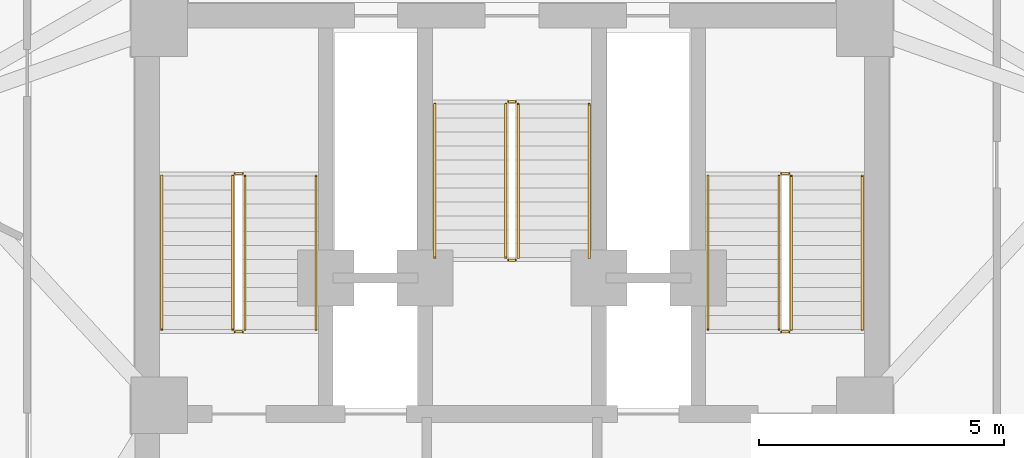
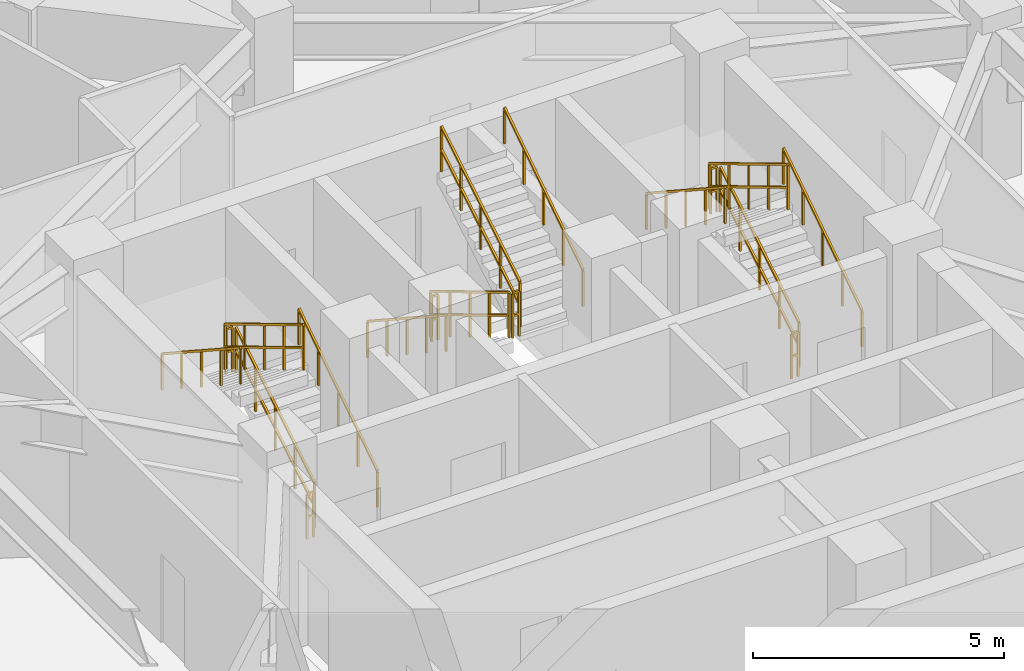
# One storey, part 11 of 12: 18 railings.
"""IFC4 building model written with IfcOpenShell, lengths in metres."""

from ifc_helpers import new_model, si_unit, direction, frame, origin, origin_2d, place, context, subcontext, project, spatial, rectangle, extrude, material, type_object, element, save


model = new_model("IFC4")

# Units and contexts
model_context = context("Model", 3, precision=1e-05, world=origin(), true_north=direction((0.0, 1.0)))
body_context = subcontext(model_context, "Body", "Model", "MODEL_VIEW")
ifc_project = project(units=[si_unit("LENGTHUNIT", "METRE"), si_unit("AREAUNIT", "SQUARE_METRE"), si_unit("VOLUMEUNIT", "CUBIC_METRE"), si_unit("PLANEANGLEUNIT", "RADIAN"), si_unit("MASSUNIT", "GRAM", prefix="KILO")], contexts=[model_context])

# Site, building, storey
site_placement = place(None, origin())
site = spatial("IfcSite", under=ifc_project, at=site_placement, CompositionType="ELEMENT")
building_placement = place(site_placement, origin())
building = spatial("IfcBuilding", under=site, at=building_placement, Name="Apsidion Concourse Tower", CompositionType="ELEMENT")
storey_placement = place(building_placement, frame((0.0, 0.0, 256.800048828125)))
storey = spatial("IfcBuildingStorey", under=building, at=storey_placement, Name="L60", CompositionType="ELEMENT", Elevation=256.800048828125)

# Railings
ifc_material = material(Name="Brushed stainless steel 316", Category="steel")
railing_type_1 = type_object("IfcRailingType", Name="RL-GUARD-1100", PredefinedType="GUARDRAIL", material=ifc_material)
railing_1_placement = place(storey_placement, frame((-5.449951171875, 3.0, 0.1708984375)))
element("IfcRailing", 1, at=railing_1_placement, inside=storey, type_object=railing_type_1, Name="L60 ST1 stair guard 1", PredefinedType="GUARDRAIL", context=body_context, shape_type="SweptSolid", body=[
    extrude(rectangle(XDim=0.048095703125, YDim=0.048095703125, at=origin_2d()), frame((0.0, 0.0, 1.09619140625), z_axis=(0.0, 0.857716804754, 0.514122439544), x_axis=(-1.0, 0.0, 0.0)), (0.0, 0.0, 1.0), 3.655029296875),
    extrude(rectangle(XDim=0.048095703125, YDim=0.048095703125, at=origin_2d()), frame((0.0, 0.0, 0.5361328125), z_axis=(0.0, 0.857716804754, 0.514122439544), x_axis=(-1.0, 0.0, 0.0)), (0.0, 0.0, 1.0), 3.655029296875),
    extrude(rectangle(XDim=0.0419921875, YDim=0.0419921875, at=origin_2d()), origin(), (0.0, 0.0, 1.0), 1.072021484375),
    extrude(rectangle(XDim=0.0419921875, YDim=0.0419921875, at=origin_2d()), frame((0.0, 0.78369140625, 0.4697265625)), (0.0, 0.0, 1.0), 1.072021484375),
    extrude(rectangle(XDim=0.0419921875, YDim=0.0419921875, at=origin_2d()), frame((0.0, 1.5673828125, 0.939453125)), (0.0, 0.0, 1.0), 1.072021484375),
    extrude(rectangle(XDim=0.0419921875, YDim=0.0419921875, at=origin_2d()), frame((0.0, 2.351318359375, 1.409423828125)), (0.0, 0.0, 1.0), 1.072021484375),
    extrude(rectangle(XDim=0.0419921875, YDim=0.0419921875, at=origin_2d()), frame((0.0, 3.135009765625, 1.879150390625)), (0.0, 0.0, 1.0), 1.072021484375),
])
railing_2_placement = place(storey_placement, frame((-5.5, 6.18505859375, 2.050048828125)))
element("IfcRailing", 2, at=railing_2_placement, inside=storey, type_object=railing_type_1, Name="L60 ST1 stair guard 2", PredefinedType="GUARDRAIL", context=body_context, shape_type="SweptSolid", body=[
    extrude(rectangle(XDim=0.048095703125, YDim=0.048095703125, at=origin_2d()), frame((0.0, 0.0, 1.09619140625), z_axis=(-1.0, 0.0, 0.0), x_axis=(0.0, -1.0, 0.0)), (0.0, 0.0, 1.0), 0.14990234375),
    extrude(rectangle(XDim=0.048095703125, YDim=0.048095703125, at=origin_2d()), frame((0.0, 0.0, 0.5361328125), z_axis=(-1.0, 0.0, 0.0), x_axis=(0.0, -1.0, 0.0)), (0.0, 0.0, 1.0), 0.14990234375),
    extrude(rectangle(XDim=0.0419921875, YDim=0.0419921875, at=origin_2d()), origin(), (0.0, 0.0, 1.0), 1.072021484375),
    extrude(rectangle(XDim=0.0419921875, YDim=0.0419921875, at=origin_2d()), frame((-0.14990234375, 0.0, 0.0)), (0.0, 0.0, 1.0), 1.072021484375),
])
railing_3_placement = place(storey_placement, frame((-5.699951171875, 6.135009765625, 2.220703125)))
element("IfcRailing", 3, at=railing_3_placement, inside=storey, type_object=railing_type_1, Name="L60 ST1 stair guard 3", PredefinedType="GUARDRAIL", context=body_context, shape_type="SweptSolid", body=[
    extrude(rectangle(XDim=0.048095703125, YDim=0.048095703125, at=origin_2d()), frame((0.0, 0.0, 1.09619140625), z_axis=(0.0, -0.857716804754, 0.514122439544), x_axis=(1.0, 0.0, 0.0)), (0.0, 0.0, 1.0), 3.655029296875),
    extrude(rectangle(XDim=0.048095703125, YDim=0.048095703125, at=origin_2d()), frame((0.0, 0.0, 0.5361328125), z_axis=(0.0, -0.857716804754, 0.514122439544), x_axis=(1.0, 0.0, 0.0)), (0.0, 0.0, 1.0), 3.655029296875),
    extrude(rectangle(XDim=0.0419921875, YDim=0.0419921875, at=origin_2d()), origin(), (0.0, 0.0, 1.0), 1.072021484375),
    extrude(rectangle(XDim=0.0419921875, YDim=0.0419921875, at=origin_2d()), frame((0.0, -0.78369140625, 0.4697265625)), (0.0, 0.0, 1.0), 1.072021484375),
    extrude(rectangle(XDim=0.0419921875, YDim=0.0419921875, at=origin_2d()), frame((0.0, -1.5673828125, 0.939453125)), (0.0, 0.0, 1.0), 1.072021484375),
    extrude(rectangle(XDim=0.0419921875, YDim=0.0419921875, at=origin_2d()), frame((0.0, -2.351318359375, 1.409423828125)), (0.0, 0.0, 1.0), 1.072021484375),
    extrude(rectangle(XDim=0.0419921875, YDim=0.0419921875, at=origin_2d()), frame((0.0, -3.135009765625, 1.879150390625)), (0.0, 0.0, 1.0), 1.072021484375),
])
railing_4_placement = place(storey_placement, frame((-5.5, 2.949951171875, 0.0)))
element("IfcRailing", 4, at=railing_4_placement, inside=storey, type_object=railing_type_1, Name="L60 ST1 stair guard 4", PredefinedType="GUARDRAIL", context=body_context, shape_type="SweptSolid", body=[
    extrude(rectangle(XDim=0.048095703125, YDim=0.048095703125, at=origin_2d()), frame((0.0, 0.0, 1.09619140625), z_axis=(-1.0, 0.0, 0.0), x_axis=(0.0, -1.0, 0.0)), (0.0, 0.0, 1.0), 0.14990234375),
    extrude(rectangle(XDim=0.048095703125, YDim=0.048095703125, at=origin_2d()), frame((0.0, 0.0, 0.5361328125), z_axis=(-1.0, 0.0, 0.0), x_axis=(0.0, -1.0, 0.0)), (0.0, 0.0, 1.0), 0.14990234375),
    extrude(rectangle(XDim=0.0419921875, YDim=0.0419921875, at=origin_2d()), origin(), (0.0, 0.0, 1.0), 1.072021484375),
    extrude(rectangle(XDim=0.0419921875, YDim=0.0419921875, at=origin_2d()), frame((-0.14990234375, 0.0, 0.0)), (0.0, 0.0, 1.0), 1.072021484375),
])
railing_5_placement = place(storey_placement, frame((5.699951171875, 3.0, 0.1708984375)))
element("IfcRailing", 5, at=railing_5_placement, inside=storey, type_object=railing_type_1, Name="L60 ST2 stair guard 1", PredefinedType="GUARDRAIL", context=body_context, shape_type="SweptSolid", body=[
    extrude(rectangle(XDim=0.048095703125, YDim=0.048095703125, at=origin_2d()), frame((0.0, 0.0, 1.09619140625), z_axis=(0.0, 0.857716804754, 0.514122439544), x_axis=(-1.0, 0.0, 0.0)), (0.0, 0.0, 1.0), 3.655029296875),
    extrude(rectangle(XDim=0.048095703125, YDim=0.048095703125, at=origin_2d()), frame((0.0, 0.0, 0.5361328125), z_axis=(0.0, 0.857716804754, 0.514122439544), x_axis=(-1.0, 0.0, 0.0)), (0.0, 0.0, 1.0), 3.655029296875),
    extrude(rectangle(XDim=0.0419921875, YDim=0.0419921875, at=origin_2d()), origin(), (0.0, 0.0, 1.0), 1.072021484375),
    extrude(rectangle(XDim=0.0419921875, YDim=0.0419921875, at=origin_2d()), frame((0.0, 0.78369140625, 0.4697265625)), (0.0, 0.0, 1.0), 1.072021484375),
    extrude(rectangle(XDim=0.0419921875, YDim=0.0419921875, at=origin_2d()), frame((0.0, 1.5673828125, 0.939453125)), (0.0, 0.0, 1.0), 1.072021484375),
    extrude(rectangle(XDim=0.0419921875, YDim=0.0419921875, at=origin_2d()), frame((0.0, 2.351318359375, 1.409423828125)), (0.0, 0.0, 1.0), 1.072021484375),
    extrude(rectangle(XDim=0.0419921875, YDim=0.0419921875, at=origin_2d()), frame((0.0, 3.135009765625, 1.879150390625)), (0.0, 0.0, 1.0), 1.072021484375),
])
railing_6_placement = place(storey_placement, frame((5.64990234375, 6.18505859375, 2.050048828125)))
element("IfcRailing", 6, at=railing_6_placement, inside=storey, type_object=railing_type_1, Name="L60 ST2 stair guard 2", PredefinedType="GUARDRAIL", context=body_context, shape_type="SweptSolid", body=[
    extrude(rectangle(XDim=0.048095703125, YDim=0.048095703125, at=origin_2d()), frame((0.0, 0.0, 1.09619140625), z_axis=(-1.0, 0.0, 0.0), x_axis=(0.0, -1.0, 0.0)), (0.0, 0.0, 1.0), 0.14990234375),
    extrude(rectangle(XDim=0.048095703125, YDim=0.048095703125, at=origin_2d()), frame((0.0, 0.0, 0.5361328125), z_axis=(-1.0, 0.0, 0.0), x_axis=(0.0, -1.0, 0.0)), (0.0, 0.0, 1.0), 0.14990234375),
    extrude(rectangle(XDim=0.0419921875, YDim=0.0419921875, at=origin_2d()), origin(), (0.0, 0.0, 1.0), 1.072021484375),
    extrude(rectangle(XDim=0.0419921875, YDim=0.0419921875, at=origin_2d()), frame((-0.14990234375, 0.0, 0.0)), (0.0, 0.0, 1.0), 1.072021484375),
])
railing_7_placement = place(storey_placement, frame((5.449951171875, 6.135009765625, 2.220703125)))
element("IfcRailing", 7, at=railing_7_placement, inside=storey, type_object=railing_type_1, Name="L60 ST2 stair guard 3", PredefinedType="GUARDRAIL", context=body_context, shape_type="SweptSolid", body=[
    extrude(rectangle(XDim=0.048095703125, YDim=0.048095703125, at=origin_2d()), frame((0.0, 0.0, 1.09619140625), z_axis=(0.0, -0.857716804754, 0.514122439544), x_axis=(1.0, 0.0, 0.0)), (0.0, 0.0, 1.0), 3.655029296875),
    extrude(rectangle(XDim=0.048095703125, YDim=0.048095703125, at=origin_2d()), frame((0.0, 0.0, 0.5361328125), z_axis=(0.0, -0.857716804754, 0.514122439544), x_axis=(1.0, 0.0, 0.0)), (0.0, 0.0, 1.0), 3.655029296875),
    extrude(rectangle(XDim=0.0419921875, YDim=0.0419921875, at=origin_2d()), origin(), (0.0, 0.0, 1.0), 1.072021484375),
    extrude(rectangle(XDim=0.0419921875, YDim=0.0419921875, at=origin_2d()), frame((0.0, -0.78369140625, 0.4697265625)), (0.0, 0.0, 1.0), 1.072021484375),
    extrude(rectangle(XDim=0.0419921875, YDim=0.0419921875, at=origin_2d()), frame((0.0, -1.5673828125, 0.939453125)), (0.0, 0.0, 1.0), 1.072021484375),
    extrude(rectangle(XDim=0.0419921875, YDim=0.0419921875, at=origin_2d()), frame((0.0, -2.351318359375, 1.409423828125)), (0.0, 0.0, 1.0), 1.072021484375),
    extrude(rectangle(XDim=0.0419921875, YDim=0.0419921875, at=origin_2d()), frame((0.0, -3.135009765625, 1.879150390625)), (0.0, 0.0, 1.0), 1.072021484375),
])
railing_8_placement = place(storey_placement, frame((5.64990234375, 2.949951171875, 0.0)))
element("IfcRailing", 8, at=railing_8_placement, inside=storey, type_object=railing_type_1, Name="L60 ST2 stair guard 4", PredefinedType="GUARDRAIL", context=body_context, shape_type="SweptSolid", body=[
    extrude(rectangle(XDim=0.048095703125, YDim=0.048095703125, at=origin_2d()), frame((0.0, 0.0, 1.09619140625), z_axis=(-1.0, 0.0, 0.0), x_axis=(0.0, -1.0, 0.0)), (0.0, 0.0, 1.0), 0.14990234375),
    extrude(rectangle(XDim=0.048095703125, YDim=0.048095703125, at=origin_2d()), frame((0.0, 0.0, 0.5361328125), z_axis=(-1.0, 0.0, 0.0), x_axis=(0.0, -1.0, 0.0)), (0.0, 0.0, 1.0), 0.14990234375),
    extrude(rectangle(XDim=0.0419921875, YDim=0.0419921875, at=origin_2d()), origin(), (0.0, 0.0, 1.0), 1.072021484375),
    extrude(rectangle(XDim=0.0419921875, YDim=0.0419921875, at=origin_2d()), frame((-0.14990234375, 0.0, 0.0)), (0.0, 0.0, 1.0), 1.072021484375),
])
railing_9_placement = place(storey_placement, frame((-0.125, 7.60009765625, 0.1708984375)))
element("IfcRailing", 9, at=railing_9_placement, inside=storey, type_object=railing_type_1, Name="L60 ST3 stair guard 1", PredefinedType="GUARDRAIL", context=body_context, shape_type="SweptSolid", body=[
    extrude(rectangle(XDim=0.048095703125, YDim=0.048095703125, at=origin_2d()), frame((0.0, 0.0, 1.09619140625), z_axis=(0.0, -0.857716804754, 0.514122439544), x_axis=(1.0, 0.0, 0.0)), (0.0, 0.0, 1.0), 3.655029296875),
    extrude(rectangle(XDim=0.048095703125, YDim=0.048095703125, at=origin_2d()), frame((0.0, 0.0, 0.5361328125), z_axis=(0.0, -0.857716804754, 0.514122439544), x_axis=(1.0, 0.0, 0.0)), (0.0, 0.0, 1.0), 3.655029296875),
    extrude(rectangle(XDim=0.0419921875, YDim=0.0419921875, at=origin_2d()), origin(), (0.0, 0.0, 1.0), 1.072021484375),
    extrude(rectangle(XDim=0.0419921875, YDim=0.0419921875, at=origin_2d()), frame((0.0, -0.78369140625, 0.4697265625)), (0.0, 0.0, 1.0), 1.072021484375),
    extrude(rectangle(XDim=0.0419921875, YDim=0.0419921875, at=origin_2d()), frame((0.0, -1.5673828125, 0.939453125)), (0.0, 0.0, 1.0), 1.072021484375),
    extrude(rectangle(XDim=0.0419921875, YDim=0.0419921875, at=origin_2d()), frame((0.0, -2.351318359375, 1.409423828125)), (0.0, 0.0, 1.0), 1.072021484375),
    extrude(rectangle(XDim=0.0419921875, YDim=0.0419921875, at=origin_2d()), frame((0.0, -3.135009765625, 1.879150390625)), (0.0, 0.0, 1.0), 1.072021484375),
])
railing_10_placement = place(storey_placement, frame((-0.074951171875, 4.4150390625, 2.050048828125)))
element("IfcRailing", 10, at=railing_10_placement, inside=storey, type_object=railing_type_1, Name="L60 ST3 stair guard 2", PredefinedType="GUARDRAIL", context=body_context, shape_type="SweptSolid", body=[
    extrude(rectangle(XDim=0.048095703125, YDim=0.048095703125, at=origin_2d()), frame((0.0, 0.0, 1.09619140625), z_axis=(1.0, 0.0, 0.0), x_axis=(0.0, 1.0, 0.0)), (0.0, 0.0, 1.0), 0.14990234375),
    extrude(rectangle(XDim=0.048095703125, YDim=0.048095703125, at=origin_2d()), frame((0.0, 0.0, 0.5361328125), z_axis=(1.0, 0.0, 0.0), x_axis=(0.0, 1.0, 0.0)), (0.0, 0.0, 1.0), 0.14990234375),
    extrude(rectangle(XDim=0.0419921875, YDim=0.0419921875, at=origin_2d()), origin(), (0.0, 0.0, 1.0), 1.072021484375),
    extrude(rectangle(XDim=0.0419921875, YDim=0.0419921875, at=origin_2d()), frame((0.14990234375, 0.0, 0.0)), (0.0, 0.0, 1.0), 1.072021484375),
])
railing_11_placement = place(storey_placement, frame((0.125, 4.465087890625, 2.220703125)))
element("IfcRailing", 11, at=railing_11_placement, inside=storey, type_object=railing_type_1, Name="L60 ST3 stair guard 3", PredefinedType="GUARDRAIL", context=body_context, shape_type="SweptSolid", body=[
    extrude(rectangle(XDim=0.048095703125, YDim=0.048095703125, at=origin_2d()), frame((0.0, 0.0, 1.09619140625), z_axis=(0.0, 0.857716804754, 0.514122439544), x_axis=(-1.0, 0.0, 0.0)), (0.0, 0.0, 1.0), 3.655029296875),
    extrude(rectangle(XDim=0.048095703125, YDim=0.048095703125, at=origin_2d()), frame((0.0, 0.0, 0.5361328125), z_axis=(0.0, 0.857716804754, 0.514122439544), x_axis=(-1.0, 0.0, 0.0)), (0.0, 0.0, 1.0), 3.655029296875),
    extrude(rectangle(XDim=0.0419921875, YDim=0.0419921875, at=origin_2d()), origin(), (0.0, 0.0, 1.0), 1.072021484375),
    extrude(rectangle(XDim=0.0419921875, YDim=0.0419921875, at=origin_2d()), frame((0.0, 0.78369140625, 0.4697265625)), (0.0, 0.0, 1.0), 1.072021484375),
    extrude(rectangle(XDim=0.0419921875, YDim=0.0419921875, at=origin_2d()), frame((0.0, 1.5673828125, 0.939453125)), (0.0, 0.0, 1.0), 1.072021484375),
    extrude(rectangle(XDim=0.0419921875, YDim=0.0419921875, at=origin_2d()), frame((0.0, 2.351318359375, 1.409423828125)), (0.0, 0.0, 1.0), 1.072021484375),
    extrude(rectangle(XDim=0.0419921875, YDim=0.0419921875, at=origin_2d()), frame((0.0, 3.135009765625, 1.879150390625)), (0.0, 0.0, 1.0), 1.072021484375),
])
railing_12_placement = place(storey_placement, frame((-0.074951171875, 7.64990234375, 0.0)))
element("IfcRailing", 12, at=railing_12_placement, inside=storey, type_object=railing_type_1, Name="L60 ST3 stair guard 4", PredefinedType="GUARDRAIL", context=body_context, shape_type="SweptSolid", body=[
    extrude(rectangle(XDim=0.048095703125, YDim=0.048095703125, at=origin_2d()), frame((0.0, 0.0, 1.09619140625), z_axis=(1.0, 0.0, 0.0), x_axis=(0.0, 1.0, 0.0)), (0.0, 0.0, 1.0), 0.14990234375),
    extrude(rectangle(XDim=0.048095703125, YDim=0.048095703125, at=origin_2d()), frame((0.0, 0.0, 0.5361328125), z_axis=(1.0, 0.0, 0.0), x_axis=(0.0, 1.0, 0.0)), (0.0, 0.0, 1.0), 0.14990234375),
    extrude(rectangle(XDim=0.0419921875, YDim=0.0419921875, at=origin_2d()), origin(), (0.0, 0.0, 1.0), 1.072021484375),
    extrude(rectangle(XDim=0.0419921875, YDim=0.0419921875, at=origin_2d()), frame((0.14990234375, 0.0, 0.0)), (0.0, 0.0, 1.0), 1.072021484375),
])
railing_type_2 = type_object("IfcRailingType", Name="RL-HAND-900", PredefinedType="HANDRAIL", material=ifc_material)
railing_13_placement = place(storey_placement, frame((-4.0, 3.0, 0.1708984375)))
element("IfcRailing", 13, at=railing_13_placement, inside=storey, type_object=railing_type_2, Name="L60 ST1 stair handrail 1", PredefinedType="HANDRAIL", context=body_context, shape_type="SweptSolid", body=[
    extrude(rectangle(XDim=0.048095703125, YDim=0.048095703125, at=origin_2d()), frame((0.0, 0.0, 0.8759765625), z_axis=(0.0, 0.836970762213, 0.547247606848), x_axis=(-1.0, 0.0, 0.0)), (0.0, 0.0, 1.0), 3.74560546875),
    extrude(rectangle(XDim=0.0419921875, YDim=0.0419921875, at=origin_2d()), origin(), (0.0, 0.0, 1.0), 0.851806640625),
    extrude(rectangle(XDim=0.0419921875, YDim=0.0419921875, at=origin_2d()), frame((0.0, 0.78369140625, 0.512451171875)), (0.0, 0.0, 1.0), 0.851806640625),
    extrude(rectangle(XDim=0.0419921875, YDim=0.0419921875, at=origin_2d()), frame((0.0, 1.5673828125, 1.02490234375)), (0.0, 0.0, 1.0), 0.851806640625),
    extrude(rectangle(XDim=0.0419921875, YDim=0.0419921875, at=origin_2d()), frame((0.0, 2.351318359375, 1.537353515625)), (0.0, 0.0, 1.0), 0.851806640625),
    extrude(rectangle(XDim=0.0419921875, YDim=0.0419921875, at=origin_2d()), frame((0.0, 3.135009765625, 2.0498046875)), (0.0, 0.0, 1.0), 0.851806640625),
])
railing_14_placement = place(storey_placement, frame((-7.14990234375, 6.135009765625, 2.220703125)))
element("IfcRailing", 14, at=railing_14_placement, inside=storey, type_object=railing_type_2, Name="L60 ST1 stair handrail 2", PredefinedType="HANDRAIL", context=body_context, shape_type="SweptSolid", body=[
    extrude(rectangle(XDim=0.048095703125, YDim=0.048095703125, at=origin_2d()), frame((0.0, 0.0, 0.8759765625), z_axis=(0.0, -0.836940907821, 0.547293263996), x_axis=(1.0, 0.0, 0.0)), (0.0, 0.0, 1.0), 3.745849609375),
    extrude(rectangle(XDim=0.0419921875, YDim=0.0419921875, at=origin_2d()), origin(), (0.0, 0.0, 1.0), 0.851806640625),
    extrude(rectangle(XDim=0.0419921875, YDim=0.0419921875, at=origin_2d()), frame((0.0, -0.78369140625, 0.512451171875)), (0.0, 0.0, 1.0), 0.851806640625),
    extrude(rectangle(XDim=0.0419921875, YDim=0.0419921875, at=origin_2d()), frame((0.0, -1.5673828125, 1.02490234375)), (0.0, 0.0, 1.0), 0.851806640625),
    extrude(rectangle(XDim=0.0419921875, YDim=0.0419921875, at=origin_2d()), frame((0.0, -2.351318359375, 1.53759765625)), (0.0, 0.0, 1.0), 0.851806640625),
    extrude(rectangle(XDim=0.0419921875, YDim=0.0419921875, at=origin_2d()), frame((0.0, -3.135009765625, 2.050048828125)), (0.0, 0.0, 1.0), 0.851806640625),
])
railing_15_placement = place(storey_placement, frame((7.14990234375, 3.0, 0.1708984375)))
element("IfcRailing", 15, at=railing_15_placement, inside=storey, type_object=railing_type_2, Name="L60 ST2 stair handrail 1", PredefinedType="HANDRAIL", context=body_context, shape_type="SweptSolid", body=[
    extrude(rectangle(XDim=0.048095703125, YDim=0.048095703125, at=origin_2d()), frame((0.0, 0.0, 0.8759765625), z_axis=(0.0, 0.836970762213, 0.547247606848), x_axis=(-1.0, 0.0, 0.0)), (0.0, 0.0, 1.0), 3.74560546875),
    extrude(rectangle(XDim=0.0419921875, YDim=0.0419921875, at=origin_2d()), origin(), (0.0, 0.0, 1.0), 0.851806640625),
    extrude(rectangle(XDim=0.0419921875, YDim=0.0419921875, at=origin_2d()), frame((0.0, 0.78369140625, 0.512451171875)), (0.0, 0.0, 1.0), 0.851806640625),
    extrude(rectangle(XDim=0.0419921875, YDim=0.0419921875, at=origin_2d()), frame((0.0, 1.5673828125, 1.02490234375)), (0.0, 0.0, 1.0), 0.851806640625),
    extrude(rectangle(XDim=0.0419921875, YDim=0.0419921875, at=origin_2d()), frame((0.0, 2.351318359375, 1.537353515625)), (0.0, 0.0, 1.0), 0.851806640625),
    extrude(rectangle(XDim=0.0419921875, YDim=0.0419921875, at=origin_2d()), frame((0.0, 3.135009765625, 2.0498046875)), (0.0, 0.0, 1.0), 0.851806640625),
])
railing_16_placement = place(storey_placement, frame((4.0, 6.135009765625, 2.220703125)))
element("IfcRailing", 16, at=railing_16_placement, inside=storey, type_object=railing_type_2, Name="L60 ST2 stair handrail 2", PredefinedType="HANDRAIL", context=body_context, shape_type="SweptSolid", body=[
    extrude(rectangle(XDim=0.048095703125, YDim=0.048095703125, at=origin_2d()), frame((0.0, 0.0, 0.8759765625), z_axis=(0.0, -0.836940907821, 0.547293263996), x_axis=(1.0, 0.0, 0.0)), (0.0, 0.0, 1.0), 3.745849609375),
    extrude(rectangle(XDim=0.0419921875, YDim=0.0419921875, at=origin_2d()), origin(), (0.0, 0.0, 1.0), 0.851806640625),
    extrude(rectangle(XDim=0.0419921875, YDim=0.0419921875, at=origin_2d()), frame((0.0, -0.78369140625, 0.512451171875)), (0.0, 0.0, 1.0), 0.851806640625),
    extrude(rectangle(XDim=0.0419921875, YDim=0.0419921875, at=origin_2d()), frame((0.0, -1.5673828125, 1.02490234375)), (0.0, 0.0, 1.0), 0.851806640625),
    extrude(rectangle(XDim=0.0419921875, YDim=0.0419921875, at=origin_2d()), frame((0.0, -2.351318359375, 1.53759765625)), (0.0, 0.0, 1.0), 0.851806640625),
    extrude(rectangle(XDim=0.0419921875, YDim=0.0419921875, at=origin_2d()), frame((0.0, -3.135009765625, 2.050048828125)), (0.0, 0.0, 1.0), 0.851806640625),
])
railing_17_placement = place(storey_placement, frame((-1.574951171875, 7.60009765625, 0.1708984375)))
element("IfcRailing", 17, at=railing_17_placement, inside=storey, type_object=railing_type_2, Name="L60 ST3 stair handrail 1", PredefinedType="HANDRAIL", context=body_context, shape_type="SweptSolid", body=[
    extrude(rectangle(XDim=0.048095703125, YDim=0.048095703125, at=origin_2d()), frame((0.0, 0.0, 0.8759765625), z_axis=(0.0, -0.836970762213, 0.547247606848), x_axis=(1.0, 0.0, 0.0)), (0.0, 0.0, 1.0), 3.74560546875),
    extrude(rectangle(XDim=0.0419921875, YDim=0.0419921875, at=origin_2d()), origin(), (0.0, 0.0, 1.0), 0.851806640625),
    extrude(rectangle(XDim=0.0419921875, YDim=0.0419921875, at=origin_2d()), frame((0.0, -0.78369140625, 0.512451171875)), (0.0, 0.0, 1.0), 0.851806640625),
    extrude(rectangle(XDim=0.0419921875, YDim=0.0419921875, at=origin_2d()), frame((0.0, -1.5673828125, 1.02490234375)), (0.0, 0.0, 1.0), 0.851806640625),
    extrude(rectangle(XDim=0.0419921875, YDim=0.0419921875, at=origin_2d()), frame((0.0, -2.351318359375, 1.537353515625)), (0.0, 0.0, 1.0), 0.851806640625),
    extrude(rectangle(XDim=0.0419921875, YDim=0.0419921875, at=origin_2d()), frame((0.0, -3.135009765625, 2.0498046875)), (0.0, 0.0, 1.0), 0.851806640625),
])
railing_18_placement = place(storey_placement, frame((1.574951171875, 4.465087890625, 2.220703125)))
element("IfcRailing", 18, at=railing_18_placement, inside=storey, type_object=railing_type_2, Name="L60 ST3 stair handrail 2", PredefinedType="HANDRAIL", context=body_context, shape_type="SweptSolid", body=[
    extrude(rectangle(XDim=0.048095703125, YDim=0.048095703125, at=origin_2d()), frame((0.0, 0.0, 0.8759765625), z_axis=(0.0, 0.836940907821, 0.547293263996), x_axis=(-1.0, 0.0, 0.0)), (0.0, 0.0, 1.0), 3.745849609375),
    extrude(rectangle(XDim=0.0419921875, YDim=0.0419921875, at=origin_2d()), origin(), (0.0, 0.0, 1.0), 0.851806640625),
    extrude(rectangle(XDim=0.0419921875, YDim=0.0419921875, at=origin_2d()), frame((0.0, 0.78369140625, 0.512451171875)), (0.0, 0.0, 1.0), 0.851806640625),
    extrude(rectangle(XDim=0.0419921875, YDim=0.0419921875, at=origin_2d()), frame((0.0, 1.5673828125, 1.02490234375)), (0.0, 0.0, 1.0), 0.851806640625),
    extrude(rectangle(XDim=0.0419921875, YDim=0.0419921875, at=origin_2d()), frame((0.0, 2.351318359375, 1.53759765625)), (0.0, 0.0, 1.0), 0.851806640625),
    extrude(rectangle(XDim=0.0419921875, YDim=0.0419921875, at=origin_2d()), frame((0.0, 3.135009765625, 2.050048828125)), (0.0, 0.0, 1.0), 0.851806640625),
])

save(model, "model.ifc")
